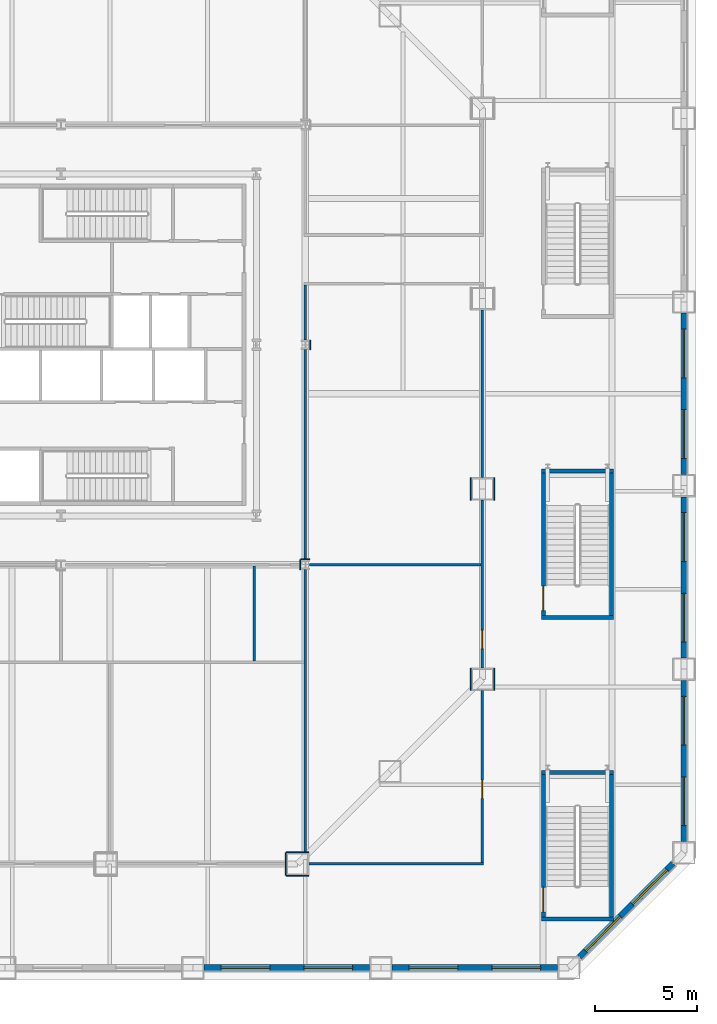
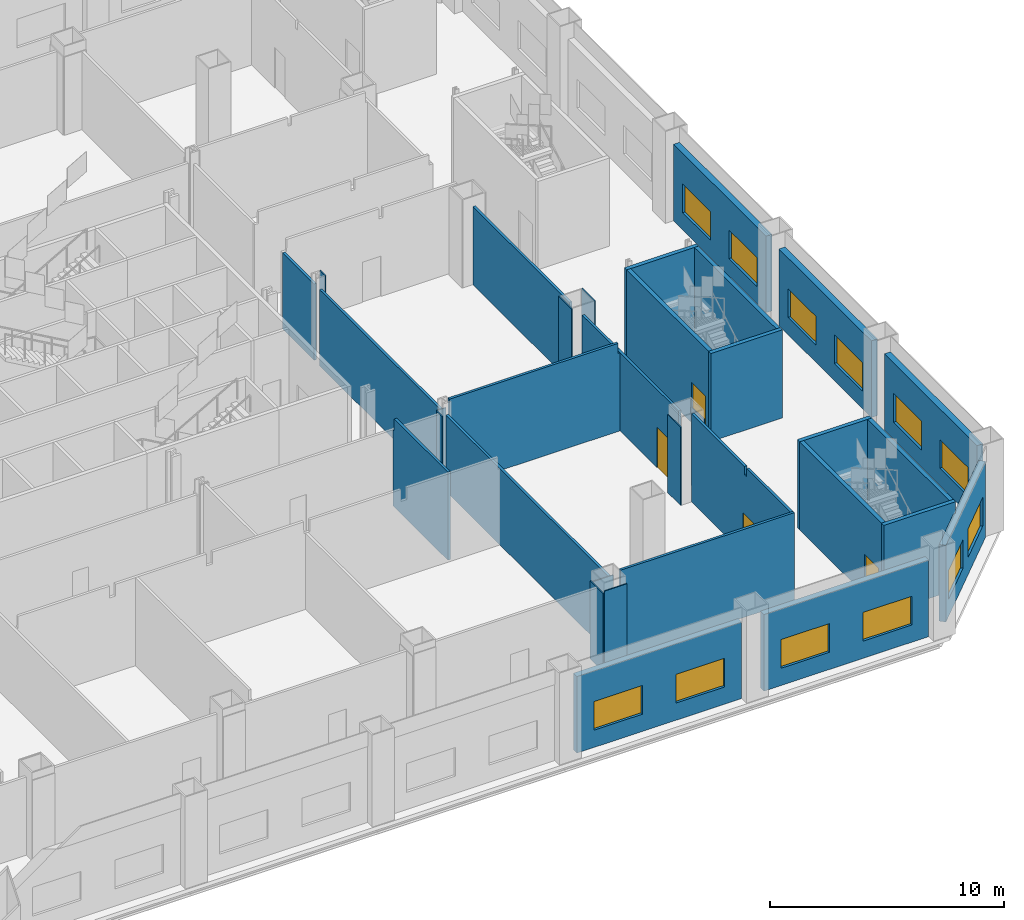
# One storey, part 17 of 25: 33 walls, 12 windows, 4 doors, 16 openings.
"""IFC4 building model written with IfcOpenShell, lengths in metres."""

from ifc_helpers import new_model, si_unit, direction, frame, frame_2d, origin, place, context, subcontext, project, spatial, polyline, rectangle, outline, extrude, material, layer, layer_set, type_object, element, fill, save


model = new_model("IFC4")

# Units and contexts
model_context = context("Model", 3, precision=1e-05, world=origin(), true_north=direction((0.0, 1.0)))
body_context = subcontext(model_context, "Body", "Model", "MODEL_VIEW")
ifc_project = project(units=[si_unit("LENGTHUNIT", "METRE"), si_unit("AREAUNIT", "SQUARE_METRE"), si_unit("VOLUMEUNIT", "CUBIC_METRE"), si_unit("PLANEANGLEUNIT", "RADIAN"), si_unit("MASSUNIT", "GRAM", prefix="KILO")], contexts=[model_context])

# Site, building, storey
site_placement = place(None, origin())
site = spatial("IfcSite", under=ifc_project, at=site_placement, CompositionType="ELEMENT")
building_placement = place(site_placement, origin())
building = spatial("IfcBuilding", under=site, at=building_placement, Name="Cairn Pilgrim Tower", CompositionType="ELEMENT")
storey_placement = place(building_placement, frame((0.0, 0.0, 30.60009765625)))
storey = spatial("IfcBuildingStorey", under=building, at=storey_placement, Name="L05", CompositionType="ELEMENT", Elevation=30.60009765625)

# Wall
ifc_material_1 = material(Name="Gypsum partition")
ifc_layer_1 = layer(ifc_material_1, 0.125)
ifc_layer_set_1 = layer_set([ifc_layer_1], Name="PARTITION 125 DRYWALL EI 60")
wall_type_1 = type_object("IfcWallType", Name="PARTITION 125 DRYWALL EI 60", PredefinedType="PARTITIONING", material=ifc_layer_set_1)
wall_1_placement = place(storey_placement, frame((19.377197265625, -23.10009765625, 0.0), z_axis=(0.0, 0.0, 1.0), x_axis=(1.0, 0.0, 0.0)))
element("IfcWall", 1, at=wall_1_placement, inside=storey, type_object=wall_type_1, Name="PARTITION W013", PredefinedType="PARTITIONING", context=body_context, shape_type="SweptSolid", body=[
    extrude(rectangle(XDim=8.585205078125, YDim=0.125, at=frame_2d((4.29248046875, 0.0))), origin(), (0.0, 0.0, 1.0), 4.599853515625),
])

# Wall, opening, door
wall_2_placement = place(storey_placement, frame((27.89990234375, -23.03759765625, 0.0), z_axis=(0.0, 0.0, 1.0), x_axis=(0.0, 1.0, 0.0)))
wall_2 = element("IfcWall", 2, at=wall_2_placement, inside=storey, type_object=wall_type_1, Name="PARTITION W019", PredefinedType="PARTITIONING", context=body_context, shape_type="SweptSolid", body=[
    extrude(outline(polyline([(0.0, 0.0), (8.46044921875, 0.0), (8.460205078125, 4.599853515625), (3.927490234375, 4.599853515625), (3.925537109375, 4.179931640625), (3.74755859375, 4.179931640625), (3.74560546875, 4.599853515625), (0.0, 4.599853515625), (0.0, 0.0)])), frame((0.0, 0.0625, 0.0), z_axis=(0.0, -1.0, 0.0), x_axis=(1.0, 0.0, 0.0)), (0.0, 0.0, 1.0), 0.125),
])
opening_1_placement = place(wall_2_placement, frame((3.16259765625, 0.0, 0.0)))
opening_1 = element("IfcOpeningElement", 3, at=opening_1_placement, cuts=wall_2, Name="Opening 0518", PredefinedType="OPENING", context=body_context, shape_type="SweptSolid", body=[
    extrude(rectangle(XDim=0.89990234375, YDim=2.10009765625, at=frame_2d((0.449951171875, 1.050048828125))), frame((0.0, 0.072509765625, 0.0), z_axis=(0.0, -1.0, 0.0), x_axis=(1.0, 0.0, 0.0)), (0.0, 0.0, 1.0), 0.14501953125),
])
ifc_material_2 = material(Name="Timber door leaf", Category="wood")
door_type_1 = type_object("IfcDoorType", Name="ROOM DOOR 900x2100 FD30S", OperationType="NOTDEFINED", PredefinedType="DOOR", material=ifc_material_2)
door_1_placement = place(opening_1_placement, frame((0.89990234375, 0.0, 0.0), z_axis=(0.0, 0.0, 1.0), x_axis=(-1.0, 0.0, 0.0)))
door_1 = element("IfcDoor", 4, at=door_1_placement, inside=storey, type_object=door_type_1, Name="DOOR 0518", OperationType="SINGLE_SWING_LEFT", OverallHeight=2.10009765625, OverallWidth=0.89990234375, PredefinedType="DOOR", context=body_context, shape_type="SweptSolid", body=[
    extrude(rectangle(XDim=0.89990234375, YDim=2.10009765625, at=frame_2d((0.449951171875, 1.050048828125))), frame((0.0, 0.02490234375, 0.0), z_axis=(0.0, -1.0, 0.0), x_axis=(1.0, 0.0, 0.0)), (0.0, 0.0, 1.0), 0.050048828125),
])
fill(opening_1, door_1)

# Wall
wall_3_placement = place(storey_placement, frame((19.199951171875, -22.550048828125, 0.0), z_axis=(0.0, 0.0, 1.0), x_axis=(0.0, 1.0, 0.0)))
element("IfcWall", 5, at=wall_3_placement, inside=storey, type_object=wall_type_1, Name="PARTITION W021", PredefinedType="PARTITIONING", context=body_context, shape_type="SweptSolid", body=[
    extrude(rectangle(XDim=13.9130859375, YDim=0.125, at=frame_2d((6.95654296875, 0.0))), origin(), (0.0, 0.0, 1.0), 3.97998046875),
])

# Wall, opening, door
wall_4_placement = place(storey_placement, frame((27.89990234375, -13.477294921875, 0.0), z_axis=(0.0, 0.0, 1.0), x_axis=(0.0, 1.0, 0.0)))
wall_4 = element("IfcWall", 6, at=wall_4_placement, inside=storey, type_object=wall_type_1, Name="PARTITION W023", PredefinedType="PARTITIONING", context=body_context, shape_type="SweptSolid", body=[
    extrude(rectangle(XDim=8.251708984375, YDim=0.125, at=frame_2d((4.1259765625, 0.0))), origin(), (0.0, 0.0, 1.0), 4.079833984375),
])
opening_2_placement = place(wall_4_placement, frame((0.9521484375, 0.0, 0.0)))
opening_2 = element("IfcOpeningElement", 7, at=opening_2_placement, cuts=wall_4, Name="Opening 0519", PredefinedType="OPENING", context=body_context, shape_type="SweptSolid", body=[
    extrude(rectangle(XDim=0.89990234375, YDim=2.10009765625, at=frame_2d((0.449951171875, 1.050048828125))), frame((0.0, 0.072509765625, 0.0), z_axis=(0.0, -1.0, 0.0), x_axis=(1.0, 0.0, 0.0)), (0.0, 0.0, 1.0), 0.14501953125),
])
door_2_placement = place(opening_2_placement, frame((0.89990234375, 0.0, 0.0), z_axis=(0.0, 0.0, 1.0), x_axis=(-1.0, 0.0, 0.0)))
door_2 = element("IfcDoor", 8, at=door_2_placement, inside=storey, type_object=door_type_1, Name="DOOR 0519", OperationType="SINGLE_SWING_RIGHT", OverallHeight=2.10009765625, OverallWidth=0.89990234375, PredefinedType="DOOR", context=body_context, shape_type="SweptSolid", body=[
    extrude(rectangle(XDim=0.89990234375, YDim=2.10009765625, at=frame_2d((0.449951171875, 1.050048828125))), frame((0.0, 0.02490234375, 0.0), z_axis=(0.0, -1.0, 0.0), x_axis=(1.0, 0.0, 0.0)), (0.0, 0.0, 1.0), 0.050048828125),
])
fill(opening_2, door_2)

# Walls
wall_5_placement = place(storey_placement, frame((16.699951171875, -13.137451171875, 0.0), z_axis=(0.0, 0.0, 1.0), x_axis=(0.0, 1.0, 0.0)))
element("IfcWall", 9, at=wall_5_placement, inside=storey, type_object=wall_type_1, Name="PARTITION W026", PredefinedType="PARTITIONING", context=body_context, shape_type="SweptSolid", body=[
    extrude(outline(polyline([(0.0, 0.0), (4.675048828125, 0.0), (4.675048828125, 3.97998046875), (4.58740234375, 3.97998046875), (4.58544921875, 4.599853515625), (0.0, 4.599853515625), (0.0, 0.0)])), frame((0.0, 0.0625, 0.0), z_axis=(0.0, -1.0, 0.0), x_axis=(1.0, 0.0, 0.0)), (0.0, 0.0, 1.0), 0.125),
])
wall_6_placement = place(storey_placement, frame((19.412109375, -8.39990234375, 0.0), z_axis=(0.0, 0.0, 1.0), x_axis=(1.0, 0.0, 0.0)))
element("IfcWall", 10, at=wall_6_placement, inside=storey, type_object=wall_type_1, Name="PARTITION W032", PredefinedType="PARTITIONING", context=body_context, shape_type="SweptSolid", body=[
    extrude(outline(polyline([(0.0, 0.0), (8.42529296875, 0.0), (8.425537109375, 4.079833984375), (8.337890625, 4.079833984375), (8.3359375, 4.599853515625), (0.0, 4.599853515625), (0.0, 0.0)])), frame((0.0, 0.0625, 0.0), z_axis=(0.0, -1.0, 0.0), x_axis=(1.0, 0.0, 0.0)), (0.0, 0.0, 1.0), 0.125),
])
wall_7_placement = place(storey_placement, frame((19.199951171875, -8.1630859375, 0.0), z_axis=(0.0, 0.0, 1.0), x_axis=(0.0, 1.0, 0.0)))
element("IfcWall", 11, at=wall_7_placement, inside=storey, type_object=wall_type_1, Name="PARTITION W034", PredefinedType="PARTITIONING", context=body_context, shape_type="SweptSolid", body=[
    extrude(rectangle(XDim=10.326171875, YDim=0.125, at=frame_2d((5.1630859375, 0.0))), origin(), (0.0, 0.0, 1.0), 3.97998046875),
])
wall_8_placement = place(storey_placement, frame((27.89990234375, -4.125732421875, 0.0), z_axis=(0.0, 0.0, 1.0), x_axis=(0.0, 1.0, 0.0)))
element("IfcWall", 12, at=wall_8_placement, inside=storey, type_object=wall_type_1, Name="PARTITION W035", PredefinedType="PARTITIONING", context=body_context, shape_type="SweptSolid", body=[
    extrude(rectangle(XDim=8.25146484375, YDim=0.125, at=frame_2d((4.125732421875, 0.0))), origin(), (0.0, 0.0, 1.0), 4.079833984375),
])
wall_9_placement = place(storey_placement, frame((19.199951171875, 2.636962890625, 0.0), z_axis=(0.0, 0.0, 1.0), x_axis=(0.0, 1.0, 0.0)))
element("IfcWall", 13, at=wall_9_placement, inside=storey, type_object=wall_type_1, Name="PARTITION W039", PredefinedType="PARTITIONING", context=body_context, shape_type="SweptSolid", body=[
    extrude(rectangle(XDim=2.700439453125, YDim=0.125, at=frame_2d((1.35009765625, 0.0))), origin(), (0.0, 0.0, 1.0), 3.97998046875),
])
ifc_layer_2 = layer(ifc_material_1, 0.050048828125)
ifc_layer_set_2 = layer_set([ifc_layer_2], Name="PARTITION 50 DRYWALL EI 60")
wall_type_2 = type_object("IfcWallType", Name="PARTITION 50 DRYWALL EI 60", PredefinedType="PARTITIONING", material=ifc_layer_set_2)
wall_10_placement = place(storey_placement, frame((18.277099609375, -22.52490234375, 0.0), z_axis=(0.0, 0.0, 1.0), x_axis=(1.0, 0.0, 0.0)))
element("IfcWall", 14, at=wall_10_placement, inside=storey, type_object=wall_type_2, Name="COLUMN CASING WC09", PredefinedType="PARTITIONING", context=body_context, shape_type="SweptSolid", body=[
    extrude(rectangle(XDim=1.10009765625, YDim=0.050048828125, at=frame_2d((0.550048828125, 0.0))), origin(), (0.0, 0.0, 1.0), 3.97998046875),
])
wall_11_placement = place(storey_placement, frame((18.277099609375, -23.675048828125, 0.0), z_axis=(0.0, 0.0, 1.0), x_axis=(1.0, 0.0, 0.0)))
element("IfcWall", 15, at=wall_11_placement, inside=storey, type_object=wall_type_2, Name="COLUMN CASING WC10", PredefinedType="PARTITIONING", context=body_context, shape_type="SweptSolid", body=[
    extrude(rectangle(XDim=1.10009765625, YDim=0.050048828125, at=frame_2d((0.550048828125, 0.0))), origin(), (0.0, 0.0, 1.0), 4.219970703125),
])
wall_12_placement = place(storey_placement, frame((18.252197265625, -23.64990234375, 0.0), z_axis=(0.0, 0.0, 1.0), x_axis=(0.0, 1.0, 0.0)))
element("IfcWall", 16, at=wall_12_placement, inside=storey, type_object=wall_type_2, Name="COLUMN CASING WC13", PredefinedType="PARTITIONING", context=body_context, shape_type="SweptSolid", body=[
    extrude(rectangle(XDim=1.099853515625, YDim=0.050048828125, at=frame_2d((0.5498046875, 0.0))), origin(), (0.0, 0.0, 1.0), 4.079833984375),
])
wall_13_placement = place(storey_placement, frame((18.962890625, -8.636962890625, 0.0), z_axis=(0.0, 0.0, 1.0), x_axis=(0.0, 1.0, 0.0)))
element("IfcWall", 17, at=wall_13_placement, inside=storey, type_object=wall_type_2, Name="COLUMN CASING WC14", PredefinedType="PARTITIONING", context=body_context, shape_type="SweptSolid", body=[
    extrude(rectangle(XDim=0.473876953125, YDim=0.050048828125, at=frame_2d((0.23681640625, 0.0))), origin(), (0.0, 0.0, 1.0), 3.97998046875),
])
for number, where, z_axis, x_axis, name in (
    (18, (27.324951171875, -14.5771484375, 0.0), (0.0, 0.0, 1.0), (0.0, 1.0, 0.0), "COLUMN CASING WC15"),
    (19, (28.47509765625, -14.5771484375, 0.0), (0.0, 0.0, 1.0), (0.0, 1.0, 0.0), "COLUMN CASING WC16"),
):
    element("IfcWall", number, at=place(storey_placement, frame(where, z_axis=z_axis, x_axis=x_axis)), inside=storey, type_object=wall_type_2, Name=name, PredefinedType="PARTITIONING", context=body_context, shape_type="SweptSolid", body=[
        extrude(rectangle(XDim=1.099853515625, YDim=0.050048828125, at=frame_2d((0.5498046875, 0.0))), origin(), (0.0, 0.0, 1.0), 4.079833984375),
    ])
for number, where, z_axis, x_axis, name in (
    (20, (27.324951171875, -5.2255859375, 0.0), (0.0, 0.0, 1.0), (0.0, 1.0, 0.0), "COLUMN CASING WC17"),
    (21, (28.47509765625, -5.2255859375, 0.0), (0.0, 0.0, 1.0), (0.0, 1.0, 0.0), "COLUMN CASING WC18"),
):
    element("IfcWall", number, at=place(storey_placement, frame(where, z_axis=z_axis, x_axis=x_axis)), inside=storey, type_object=wall_type_2, Name=name, PredefinedType="PARTITIONING", context=body_context, shape_type="SweptSolid", body=[
        extrude(rectangle(XDim=1.099853515625, YDim=0.050048828125, at=frame_2d((0.5498046875, 0.0))), origin(), (0.0, 0.0, 1.0), 4.599853515625),
    ])
wall_14_placement = place(storey_placement, frame((18.988037109375, -8.137939453125, 0.0), z_axis=(0.0, 0.0, 1.0), x_axis=(1.0, 0.0, 0.0)))
element("IfcWall", 22, at=wall_14_placement, inside=storey, type_object=wall_type_2, Name="COLUMN CASING WC25", PredefinedType="PARTITIONING", context=body_context, shape_type="SweptSolid", body=[
    extrude(rectangle(XDim=0.424072265625, YDim=0.050048828125, at=frame_2d((0.2119140625, 0.0))), origin(), (0.0, 0.0, 1.0), 3.97998046875),
])
wall_15_placement = place(storey_placement, frame((19.43701171875, 2.1630859375, 0.0), z_axis=(0.0, 0.0, 1.0), x_axis=(0.0, 1.0, 0.0)))
element("IfcWall", 23, at=wall_15_placement, inside=storey, type_object=wall_type_2, Name="COLUMN CASING WC26", PredefinedType="PARTITIONING", context=body_context, shape_type="SweptSolid", body=[
    extrude(rectangle(XDim=0.473876953125, YDim=0.050048828125, at=frame_2d((0.23681640625, 0.0))), origin(), (0.0, 0.0, 1.0), 4.599853515625),
])
ifc_material_3 = material(Name="Concrete C35/45", Category="concrete")
ifc_layer_3 = layer(ifc_material_3, 0.199951171875)
ifc_layer_set_3 = layer_set([ifc_layer_3], Name="PODIUM STAIR WALL 200 EI 120")
wall_type_3 = type_object("IfcWallType", Name="PODIUM STAIR WALL 200 EI 120", PredefinedType="SOLIDWALL", material=ifc_layer_set_3)
wall_16_placement = place(storey_placement, frame((30.800048828125, -25.800048828125, 0.0), z_axis=(0.0, 0.0, 1.0), x_axis=(1.0, 0.0, 0.0)))
element("IfcWall", 24, at=wall_16_placement, inside=storey, type_object=wall_type_3, Name="STAIR SHAFT WALL W003", PredefinedType="SOLIDWALL", context=body_context, shape_type="SweptSolid", body=[
    extrude(rectangle(XDim=3.550048828125, YDim=0.199951171875, at=frame_2d((1.77490234375, 0.0))), origin(), (0.0, 0.0, 1.0), 4.599853515625),
])

# Wall, opening, door
wall_17_placement = place(storey_placement, frame((30.89990234375, -25.699951171875, 0.0), z_axis=(0.0, 0.0, 1.0), x_axis=(0.0, 1.0, 0.0)))
wall_17 = element("IfcWall", 25, at=wall_17_placement, inside=storey, type_object=wall_type_3, Name="STAIR SHAFT WALL W004", PredefinedType="SOLIDWALL", context=body_context, shape_type="SweptSolid", body=[
    extrude(rectangle(XDim=7.0, YDim=0.199951171875, at=frame_2d((3.5, 0.0))), origin(), (0.0, 0.0, 1.0), 4.599853515625),
])
opening_3_placement = place(wall_17_placement, frame((0.25, 0.0, 0.0)))
opening_3 = element("IfcOpeningElement", 26, at=opening_3_placement, cuts=wall_17, Name="Opening 0524", PredefinedType="OPENING", context=body_context, shape_type="SweptSolid", body=[
    extrude(rectangle(XDim=1.199951171875, YDim=2.10009765625, at=frame_2d((0.60009765625, 1.050048828125))), frame((0.0, 0.10986328125, 0.0), z_axis=(0.0, -1.0, 0.0), x_axis=(1.0, 0.0, 0.0)), (0.0, 0.0, 1.0), 0.219970703125),
])
ifc_material_4 = material(Name="Steel-faced fire door leaf", Category="steel")
door_type_2 = type_object("IfcDoorType", Name="FIRE DOOR 1200x2100 FD60S", OperationType="NOTDEFINED", PredefinedType="DOOR", material=ifc_material_4)
door_3_placement = place(opening_3_placement, frame((1.199951171875, 0.0, 0.0), z_axis=(0.0, 0.0, 1.0), x_axis=(-1.0, 0.0, 0.0)))
door_3 = element("IfcDoor", 27, at=door_3_placement, inside=storey, type_object=door_type_2, Name="DOOR 0524", OperationType="SINGLE_SWING_LEFT", OverallHeight=2.10009765625, OverallWidth=1.199951171875, PredefinedType="DOOR", context=body_context, shape_type="SweptSolid", body=[
    extrude(rectangle(XDim=1.199951171875, YDim=2.10009765625, at=frame_2d((0.60009765625, 1.050048828125))), frame((0.0, 0.02490234375, 0.0), z_axis=(0.0, -1.0, 0.0), x_axis=(1.0, 0.0, 0.0)), (0.0, 0.0, 1.0), 0.050048828125),
])
fill(opening_3, door_3)

# Walls
wall_18_placement = place(storey_placement, frame((34.25, -25.699951171875, 0.0), z_axis=(0.0, 0.0, 1.0), x_axis=(0.0, 1.0, 0.0)))
element("IfcWall", 28, at=wall_18_placement, inside=storey, type_object=wall_type_3, Name="STAIR SHAFT WALL W005", PredefinedType="SOLIDWALL", context=body_context, shape_type="SweptSolid", body=[
    extrude(rectangle(XDim=7.0, YDim=0.199951171875, at=frame_2d((3.5, 0.0))), origin(), (0.0, 0.0, 1.0), 4.599853515625),
])
for number, where, z_axis, x_axis, name in (
    (29, (30.800048828125, -18.60009765625, 0.0), (0.0, 0.0, 1.0), (1.0, 0.0, 0.0), "STAIR SHAFT WALL W022"),
    (30, (30.800048828125, -11.0, 0.0), (0.0, 0.0, 1.0), (1.0, 0.0, 0.0), "STAIR SHAFT WALL W027"),
):
    element("IfcWall", number, at=place(storey_placement, frame(where, z_axis=z_axis, x_axis=x_axis)), inside=storey, type_object=wall_type_3, Name=name, PredefinedType="SOLIDWALL", context=body_context, shape_type="SweptSolid", body=[
        extrude(rectangle(XDim=3.550048828125, YDim=0.199951171875, at=frame_2d((1.77490234375, 0.0))), origin(), (0.0, 0.0, 1.0), 4.599853515625),
    ])

# Wall, opening, door
wall_19_placement = place(storey_placement, frame((30.89990234375, -10.89990234375, 0.0), z_axis=(0.0, 0.0, 1.0), x_axis=(0.0, 1.0, 0.0)))
wall_19 = element("IfcWall", 31, at=wall_19_placement, inside=storey, type_object=wall_type_3, Name="STAIR SHAFT WALL W028", PredefinedType="SOLIDWALL", context=body_context, shape_type="SweptSolid", body=[
    extrude(rectangle(XDim=7.0, YDim=0.199951171875, at=frame_2d((3.5, 0.0))), origin(), (0.0, 0.0, 1.0), 4.599853515625),
])
opening_4_placement = place(wall_19_placement, frame((0.25, 0.0, 0.0)))
opening_4 = element("IfcOpeningElement", 32, at=opening_4_placement, cuts=wall_19, Name="Opening 0525", PredefinedType="OPENING", context=body_context, shape_type="SweptSolid", body=[
    extrude(rectangle(XDim=1.199951171875, YDim=2.10009765625, at=frame_2d((0.60009765625, 1.050048828125))), frame((0.0, 0.10986328125, 0.0), z_axis=(0.0, -1.0, 0.0), x_axis=(1.0, 0.0, 0.0)), (0.0, 0.0, 1.0), 0.219970703125),
])
door_4_placement = place(opening_4_placement, frame((1.199951171875, 0.0, 0.0), z_axis=(0.0, 0.0, 1.0), x_axis=(-1.0, 0.0, 0.0)))
door_4 = element("IfcDoor", 33, at=door_4_placement, inside=storey, type_object=door_type_2, Name="DOOR 0525", OperationType="SINGLE_SWING_RIGHT", OverallHeight=2.10009765625, OverallWidth=1.199951171875, PredefinedType="DOOR", context=body_context, shape_type="SweptSolid", body=[
    extrude(rectangle(XDim=1.199951171875, YDim=2.10009765625, at=frame_2d((0.60009765625, 1.050048828125))), frame((0.0, 0.02490234375, 0.0), z_axis=(0.0, -1.0, 0.0), x_axis=(1.0, 0.0, 0.0)), (0.0, 0.0, 1.0), 0.050048828125),
])
fill(opening_4, door_4)

# Walls
wall_20_placement = place(storey_placement, frame((34.25, -10.89990234375, 0.0), z_axis=(0.0, 0.0, 1.0), x_axis=(0.0, 1.0, 0.0)))
element("IfcWall", 34, at=wall_20_placement, inside=storey, type_object=wall_type_3, Name="STAIR SHAFT WALL W029", PredefinedType="SOLIDWALL", context=body_context, shape_type="SweptSolid", body=[
    extrude(rectangle(XDim=7.0, YDim=0.199951171875, at=frame_2d((3.5, 0.0))), origin(), (0.0, 0.0, 1.0), 4.599853515625),
])
wall_21_placement = place(storey_placement, frame((30.800048828125, -3.800048828125, 0.0), z_axis=(0.0, 0.0, 1.0), x_axis=(1.0, 0.0, 0.0)))
element("IfcWall", 35, at=wall_21_placement, inside=storey, type_object=wall_type_3, Name="STAIR SHAFT WALL W036", PredefinedType="SOLIDWALL", context=body_context, shape_type="SweptSolid", body=[
    extrude(rectangle(XDim=3.550048828125, YDim=0.199951171875, at=frame_2d((1.77490234375, 0.0))), origin(), (0.0, 0.0, 1.0), 4.599853515625),
])

# Wall, openings, windows
ifc_material_5 = material(Name="Concrete C35/45 backup wall with bronze aluminium cladding", Category="concrete")
ifc_layer_4 = layer(ifc_material_5, 0.300048828125)
ifc_layer_set_4 = layer_set([ifc_layer_4], Name="PODIUM WALL 300 BRONZE-CLAD")
wall_type_4 = type_object("IfcWallType", Name="PODIUM WALL 300 BRONZE-CLAD", PredefinedType="SOLIDWALL", material=ifc_layer_set_4)
wall_22_placement = place(storey_placement, frame((14.2255859375, -28.199951171875, 0.0), z_axis=(0.0, 0.0, 1.0), x_axis=(1.0, 0.0, 0.0)))
wall_22 = element("IfcWall", 36, at=wall_22_placement, inside=storey, type_object=wall_type_4, Name="PODIUM EXTERNAL WALL S7-S8", PredefinedType="SOLIDWALL", context=body_context, shape_type="SweptSolid", body=[
    extrude(rectangle(XDim=8.137939453125, YDim=0.300048828125, at=frame_2d((4.06884765625, 0.0))), origin(), (0.0, 0.0, 1.0), 4.0),
])
opening_5_placement = place(wall_22_placement, frame((0.83447265625, 0.0, 0.89990234375)))
opening_5 = element("IfcOpeningElement", 37, at=opening_5_placement, cuts=wall_22, Name="Opening PW15", PredefinedType="OPENING", context=body_context, shape_type="SweptSolid", body=[
    extrude(rectangle(XDim=2.39990234375, YDim=1.5, at=frame_2d((1.199951171875, 0.75))), frame((0.0, 0.16015625, 0.0), z_axis=(0.0, -1.0, 0.0), x_axis=(1.0, 0.0, 0.0)), (0.0, 0.0, 1.0), 0.320068359375),
])
opening_6_placement = place(wall_22_placement, frame((4.9033203125, 0.0, 0.89990234375)))
opening_6 = element("IfcOpeningElement", 38, at=opening_6_placement, cuts=wall_22, Name="Opening PW15", PredefinedType="OPENING", context=body_context, shape_type="SweptSolid", body=[
    extrude(rectangle(XDim=2.39990234375, YDim=1.5, at=frame_2d((1.199951171875, 0.75))), frame((0.0, 0.16015625, 0.0), z_axis=(0.0, -1.0, 0.0), x_axis=(1.0, 0.0, 0.0)), (0.0, 0.0, 1.0), 0.320068359375),
])
ifc_material_6 = material(Name="Bronze anodised aluminium frame with tinted low-E glass", Category="aluminium")
window_type = type_object("IfcWindowType", Name="PODIUM FIXED WINDOW 2400x1500", PartitioningType="SINGLE_PANEL", PredefinedType="WINDOW", material=ifc_material_6)
window_1_placement = place(opening_5_placement, origin())
window_1 = element("IfcWindow", 39, at=window_1_placement, inside=storey, type_object=window_type, Name="PODIUM WINDOW", OverallHeight=1.5, OverallWidth=2.39990234375, PartitioningType="SINGLE_PANEL", PredefinedType="WINDOW", context=body_context, shape_type="SweptSolid", body=[
    extrude(rectangle(XDim=2.39990234375, YDim=1.5, at=frame_2d((1.199951171875, 0.75))), frame((0.0, 0.030029296875, 0.0), z_axis=(0.0, -1.0, 0.0), x_axis=(1.0, 0.0, 0.0)), (0.0, 0.0, 1.0), 0.06005859375),
])
fill(opening_5, window_1)
window_2_placement = place(opening_6_placement, origin())
window_2 = element("IfcWindow", 40, at=window_2_placement, inside=storey, type_object=window_type, Name="PODIUM WINDOW", OverallHeight=1.5, OverallWidth=2.39990234375, PartitioningType="SINGLE_PANEL", PredefinedType="WINDOW", context=body_context, shape_type="SweptSolid", body=[
    extrude(rectangle(XDim=2.39990234375, YDim=1.5, at=frame_2d((1.199951171875, 0.75))), frame((0.0, 0.030029296875, 0.0), z_axis=(0.0, -1.0, 0.0), x_axis=(1.0, 0.0, 0.0)), (0.0, 0.0, 1.0), 0.06005859375),
])
fill(opening_6, window_2)

wall_23_placement = place(storey_placement, frame((23.463623046875, -28.199951171875, 0.0), z_axis=(0.0, 0.0, 1.0), x_axis=(1.0, 0.0, 0.0)))
wall_23 = element("IfcWall", 41, at=wall_23_placement, inside=storey, type_object=wall_type_4, Name="PODIUM EXTERNAL WALL S8-SE1", PredefinedType="SOLIDWALL", context=body_context, shape_type="SweptSolid", body=[
    extrude(rectangle(XDim=8.137939453125, YDim=0.300048828125, at=frame_2d((4.06884765625, 0.0))), origin(), (0.0, 0.0, 1.0), 4.0),
])
opening_7_placement = place(wall_23_placement, frame((0.83447265625, 0.0, 0.89990234375)))
opening_7 = element("IfcOpeningElement", 42, at=opening_7_placement, cuts=wall_23, Name="Opening PW15", PredefinedType="OPENING", context=body_context, shape_type="SweptSolid", body=[
    extrude(rectangle(XDim=2.39990234375, YDim=1.5, at=frame_2d((1.199951171875, 0.75))), frame((0.0, 0.16015625, 0.0), z_axis=(0.0, -1.0, 0.0), x_axis=(1.0, 0.0, 0.0)), (0.0, 0.0, 1.0), 0.320068359375),
])
opening_8_placement = place(wall_23_placement, frame((4.9033203125, 0.0, 0.89990234375)))
opening_8 = element("IfcOpeningElement", 43, at=opening_8_placement, cuts=wall_23, Name="Opening PW15", PredefinedType="OPENING", context=body_context, shape_type="SweptSolid", body=[
    extrude(rectangle(XDim=2.39990234375, YDim=1.5, at=frame_2d((1.199951171875, 0.75))), frame((0.0, 0.16015625, 0.0), z_axis=(0.0, -1.0, 0.0), x_axis=(1.0, 0.0, 0.0)), (0.0, 0.0, 1.0), 0.320068359375),
])
window_3_placement = place(opening_7_placement, origin())
window_3 = element("IfcWindow", 44, at=window_3_placement, inside=storey, type_object=window_type, Name="PODIUM WINDOW", OverallHeight=1.5, OverallWidth=2.39990234375, PartitioningType="SINGLE_PANEL", PredefinedType="WINDOW", context=body_context, shape_type="SweptSolid", body=[
    extrude(rectangle(XDim=2.39990234375, YDim=1.5, at=frame_2d((1.199951171875, 0.75))), frame((0.0, 0.030029296875, 0.0), z_axis=(0.0, -1.0, 0.0), x_axis=(1.0, 0.0, 0.0)), (0.0, 0.0, 1.0), 0.06005859375),
])
fill(opening_7, window_3)
window_4_placement = place(opening_8_placement, origin())
window_4 = element("IfcWindow", 45, at=window_4_placement, inside=storey, type_object=window_type, Name="PODIUM WINDOW", OverallHeight=1.5, OverallWidth=2.39990234375, PartitioningType="SINGLE_PANEL", PredefinedType="WINDOW", context=body_context, shape_type="SweptSolid", body=[
    extrude(rectangle(XDim=2.39990234375, YDim=1.5, at=frame_2d((1.199951171875, 0.75))), frame((0.0, 0.030029296875, 0.0), z_axis=(0.0, -1.0, 0.0), x_axis=(1.0, 0.0, 0.0)), (0.0, 0.0, 1.0), 0.06005859375),
])
fill(opening_8, window_4)

wall_24_placement = place(storey_placement, frame((32.6748046875, -27.6767578125, 0.0), z_axis=(0.0, 0.0, 1.0), x_axis=(0.707088024292, 0.707125537583, 0.0)))
wall_24 = element("IfcWall", 46, at=wall_24_placement, inside=storey, type_object=wall_type_4, Name="PODIUM EXTERNAL WALL SE1-E1", PredefinedType="SOLIDWALL", context=body_context, shape_type="SweptSolid", body=[
    extrude(rectangle(XDim=6.508056640625, YDim=0.300048828125, at=frame_2d((3.25390625, 0.0))), origin(), (0.0, 0.0, 1.0), 4.0),
])
opening_9_placement = place(wall_24_placement, frame((0.427001953125, 0.0, 0.89990234375)))
opening_9 = element("IfcOpeningElement", 47, at=opening_9_placement, cuts=wall_24, Name="Opening PW15", PredefinedType="OPENING", context=body_context, shape_type="SweptSolid", body=[
    extrude(rectangle(XDim=2.39990234375, YDim=1.5, at=frame_2d((1.199951171875, 0.75))), frame((0.0, 0.16015625, 0.0), z_axis=(0.0, -1.0, 0.0), x_axis=(1.0, 0.0, 0.0)), (0.0, 0.0, 1.0), 0.320068359375),
])
opening_10_placement = place(wall_24_placement, frame((3.68115234375, 0.0, 0.89990234375)))
opening_10 = element("IfcOpeningElement", 48, at=opening_10_placement, cuts=wall_24, Name="Opening PW15", PredefinedType="OPENING", context=body_context, shape_type="SweptSolid", body=[
    extrude(rectangle(XDim=2.39990234375, YDim=1.5, at=frame_2d((1.199951171875, 0.75))), frame((0.0, 0.16015625, 0.0), z_axis=(0.0, -1.0, 0.0), x_axis=(1.0, 0.0, 0.0)), (0.0, 0.0, 1.0), 0.320068359375),
])
window_5_placement = place(opening_9_placement, origin())
window_5 = element("IfcWindow", 49, at=window_5_placement, inside=storey, type_object=window_type, Name="PODIUM WINDOW", OverallHeight=1.5, OverallWidth=2.39990234375, PartitioningType="SINGLE_PANEL", PredefinedType="WINDOW", context=body_context, shape_type="SweptSolid", body=[
    extrude(rectangle(XDim=2.39990234375, YDim=1.5, at=frame_2d((1.199951171875, 0.75))), frame((0.0, 0.030029296875, 0.0), z_axis=(0.0, -1.0, 0.0), x_axis=(1.0, 0.0, 0.0)), (0.0, 0.0, 1.0), 0.06005859375),
])
fill(opening_9, window_5)
window_6_placement = place(opening_10_placement, origin())
window_6 = element("IfcWindow", 50, at=window_6_placement, inside=storey, type_object=window_type, Name="PODIUM WINDOW", OverallHeight=1.5, OverallWidth=2.39990234375, PartitioningType="SINGLE_PANEL", PredefinedType="WINDOW", context=body_context, shape_type="SweptSolid", body=[
    extrude(rectangle(XDim=2.39990234375, YDim=1.5, at=frame_2d((1.199951171875, 0.75))), frame((0.0, 0.030029296875, 0.0), z_axis=(0.0, -1.0, 0.0), x_axis=(1.0, 0.0, 0.0)), (0.0, 0.0, 1.0), 0.06005859375),
])
fill(opening_10, window_6)

wall_25_placement = place(storey_placement, frame((37.800048828125, -22.00146484375, 0.0), z_axis=(0.0, 0.0, 1.0), x_axis=(0.0, 1.0, 0.0)))
wall_25 = element("IfcWall", 51, at=wall_25_placement, inside=storey, type_object=wall_type_4, Name="PODIUM EXTERNAL WALL E1-E2", PredefinedType="SOLIDWALL", context=body_context, shape_type="SweptSolid", body=[
    extrude(rectangle(XDim=7.920654296875, YDim=0.300048828125, at=frame_2d((3.96044921875, 0.0))), origin(), (0.0, 0.0, 1.0), 4.0),
])
opening_11_placement = place(wall_25_placement, frame((0.780029296875, 0.0, 0.89990234375)))
opening_11 = element("IfcOpeningElement", 52, at=opening_11_placement, cuts=wall_25, Name="Opening PW15", PredefinedType="OPENING", context=body_context, shape_type="SweptSolid", body=[
    extrude(rectangle(XDim=2.39990234375, YDim=1.5, at=frame_2d((1.199951171875, 0.75))), frame((0.0, 0.16015625, 0.0), z_axis=(0.0, -1.0, 0.0), x_axis=(1.0, 0.0, 0.0)), (0.0, 0.0, 1.0), 0.320068359375),
])
opening_12_placement = place(wall_25_placement, frame((4.740478515625, 0.0, 0.89990234375)))
opening_12 = element("IfcOpeningElement", 53, at=opening_12_placement, cuts=wall_25, Name="Opening PW15", PredefinedType="OPENING", context=body_context, shape_type="SweptSolid", body=[
    extrude(rectangle(XDim=2.39990234375, YDim=1.5, at=frame_2d((1.199951171875, 0.75))), frame((0.0, 0.16015625, 0.0), z_axis=(0.0, -1.0, 0.0), x_axis=(1.0, 0.0, 0.0)), (0.0, 0.0, 1.0), 0.320068359375),
])
window_7_placement = place(opening_11_placement, origin())
window_7 = element("IfcWindow", 54, at=window_7_placement, inside=storey, type_object=window_type, Name="PODIUM WINDOW", OverallHeight=1.5, OverallWidth=2.39990234375, PartitioningType="SINGLE_PANEL", PredefinedType="WINDOW", context=body_context, shape_type="SweptSolid", body=[
    extrude(rectangle(XDim=2.39990234375, YDim=1.5, at=frame_2d((1.199951171875, 0.75))), frame((0.0, 0.030029296875, 0.0), z_axis=(0.0, -1.0, 0.0), x_axis=(1.0, 0.0, 0.0)), (0.0, 0.0, 1.0), 0.06005859375),
])
fill(opening_11, window_7)
window_8_placement = place(opening_12_placement, origin())
window_8 = element("IfcWindow", 55, at=window_8_placement, inside=storey, type_object=window_type, Name="PODIUM WINDOW", OverallHeight=1.5, OverallWidth=2.39990234375, PartitioningType="SINGLE_PANEL", PredefinedType="WINDOW", context=body_context, shape_type="SweptSolid", body=[
    extrude(rectangle(XDim=2.39990234375, YDim=1.5, at=frame_2d((1.199951171875, 0.75))), frame((0.0, 0.030029296875, 0.0), z_axis=(0.0, -1.0, 0.0), x_axis=(1.0, 0.0, 0.0)), (0.0, 0.0, 1.0), 0.06005859375),
])
fill(opening_12, window_8)

wall_26_placement = place(storey_placement, frame((37.800048828125, -12.98095703125, 0.0), z_axis=(0.0, 0.0, 1.0), x_axis=(0.0, 1.0, 0.0)))
wall_26 = element("IfcWall", 56, at=wall_26_placement, inside=storey, type_object=wall_type_4, Name="PODIUM EXTERNAL WALL E2-E3", PredefinedType="SOLIDWALL", context=body_context, shape_type="SweptSolid", body=[
    extrude(rectangle(XDim=7.920654296875, YDim=0.300048828125, at=frame_2d((3.96044921875, 0.0))), origin(), (0.0, 0.0, 1.0), 4.0),
])
opening_13_placement = place(wall_26_placement, frame((0.780029296875, 0.0, 0.89990234375)))
opening_13 = element("IfcOpeningElement", 57, at=opening_13_placement, cuts=wall_26, Name="Opening PW15", PredefinedType="OPENING", context=body_context, shape_type="SweptSolid", body=[
    extrude(rectangle(XDim=2.39990234375, YDim=1.5, at=frame_2d((1.199951171875, 0.75))), frame((0.0, 0.16015625, 0.0), z_axis=(0.0, -1.0, 0.0), x_axis=(1.0, 0.0, 0.0)), (0.0, 0.0, 1.0), 0.320068359375),
])
opening_14_placement = place(wall_26_placement, frame((4.740478515625, 0.0, 0.89990234375)))
opening_14 = element("IfcOpeningElement", 58, at=opening_14_placement, cuts=wall_26, Name="Opening PW15", PredefinedType="OPENING", context=body_context, shape_type="SweptSolid", body=[
    extrude(rectangle(XDim=2.39990234375, YDim=1.5, at=frame_2d((1.199951171875, 0.75))), frame((0.0, 0.16015625, 0.0), z_axis=(0.0, -1.0, 0.0), x_axis=(1.0, 0.0, 0.0)), (0.0, 0.0, 1.0), 0.320068359375),
])
window_9_placement = place(opening_13_placement, origin())
window_9 = element("IfcWindow", 59, at=window_9_placement, inside=storey, type_object=window_type, Name="PODIUM WINDOW", OverallHeight=1.5, OverallWidth=2.39990234375, PartitioningType="SINGLE_PANEL", PredefinedType="WINDOW", context=body_context, shape_type="SweptSolid", body=[
    extrude(rectangle(XDim=2.39990234375, YDim=1.5, at=frame_2d((1.199951171875, 0.75))), frame((0.0, 0.030029296875, 0.0), z_axis=(0.0, -1.0, 0.0), x_axis=(1.0, 0.0, 0.0)), (0.0, 0.0, 1.0), 0.06005859375),
])
fill(opening_13, window_9)
window_10_placement = place(opening_14_placement, origin())
window_10 = element("IfcWindow", 60, at=window_10_placement, inside=storey, type_object=window_type, Name="PODIUM WINDOW", OverallHeight=1.5, OverallWidth=2.39990234375, PartitioningType="SINGLE_PANEL", PredefinedType="WINDOW", context=body_context, shape_type="SweptSolid", body=[
    extrude(rectangle(XDim=2.39990234375, YDim=1.5, at=frame_2d((1.199951171875, 0.75))), frame((0.0, 0.030029296875, 0.0), z_axis=(0.0, -1.0, 0.0), x_axis=(1.0, 0.0, 0.0)), (0.0, 0.0, 1.0), 0.06005859375),
])
fill(opening_14, window_10)

wall_27_placement = place(storey_placement, frame((37.800048828125, -3.960205078125, 0.0), z_axis=(0.0, 0.0, 1.0), x_axis=(0.0, 1.0, 0.0)))
wall_27 = element("IfcWall", 61, at=wall_27_placement, inside=storey, type_object=wall_type_4, Name="PODIUM EXTERNAL WALL E3-E4", PredefinedType="SOLIDWALL", context=body_context, shape_type="SweptSolid", body=[
    extrude(rectangle(XDim=7.92041015625, YDim=0.300048828125, at=frame_2d((3.960205078125, 0.0))), origin(), (0.0, 0.0, 1.0), 4.0),
])
opening_15_placement = place(wall_27_placement, frame((0.780029296875, 0.0, 0.89990234375)))
opening_15 = element("IfcOpeningElement", 62, at=opening_15_placement, cuts=wall_27, Name="Opening PW15", PredefinedType="OPENING", context=body_context, shape_type="SweptSolid", body=[
    extrude(rectangle(XDim=2.39990234375, YDim=1.5, at=frame_2d((1.199951171875, 0.75))), frame((0.0, 0.16015625, 0.0), z_axis=(0.0, -1.0, 0.0), x_axis=(1.0, 0.0, 0.0)), (0.0, 0.0, 1.0), 0.320068359375),
])
opening_16_placement = place(wall_27_placement, frame((4.740478515625, 0.0, 0.89990234375)))
opening_16 = element("IfcOpeningElement", 63, at=opening_16_placement, cuts=wall_27, Name="Opening PW15", PredefinedType="OPENING", context=body_context, shape_type="SweptSolid", body=[
    extrude(rectangle(XDim=2.39990234375, YDim=1.5, at=frame_2d((1.199951171875, 0.75))), frame((0.0, 0.16015625, 0.0), z_axis=(0.0, -1.0, 0.0), x_axis=(1.0, 0.0, 0.0)), (0.0, 0.0, 1.0), 0.320068359375),
])
window_11_placement = place(opening_15_placement, origin())
window_11 = element("IfcWindow", 64, at=window_11_placement, inside=storey, type_object=window_type, Name="PODIUM WINDOW", OverallHeight=1.5, OverallWidth=2.39990234375, PartitioningType="SINGLE_PANEL", PredefinedType="WINDOW", context=body_context, shape_type="SweptSolid", body=[
    extrude(rectangle(XDim=2.39990234375, YDim=1.5, at=frame_2d((1.199951171875, 0.75))), frame((0.0, 0.030029296875, 0.0), z_axis=(0.0, -1.0, 0.0), x_axis=(1.0, 0.0, 0.0)), (0.0, 0.0, 1.0), 0.06005859375),
])
fill(opening_15, window_11)
window_12_placement = place(opening_16_placement, origin())
window_12 = element("IfcWindow", 65, at=window_12_placement, inside=storey, type_object=window_type, Name="PODIUM WINDOW", OverallHeight=1.5, OverallWidth=2.39990234375, PartitioningType="SINGLE_PANEL", PredefinedType="WINDOW", context=body_context, shape_type="SweptSolid", body=[
    extrude(rectangle(XDim=2.39990234375, YDim=1.5, at=frame_2d((1.199951171875, 0.75))), frame((0.0, 0.030029296875, 0.0), z_axis=(0.0, -1.0, 0.0), x_axis=(1.0, 0.0, 0.0)), (0.0, 0.0, 1.0), 0.06005859375),
])
fill(opening_16, window_12)

save(model, "model.ifc")
